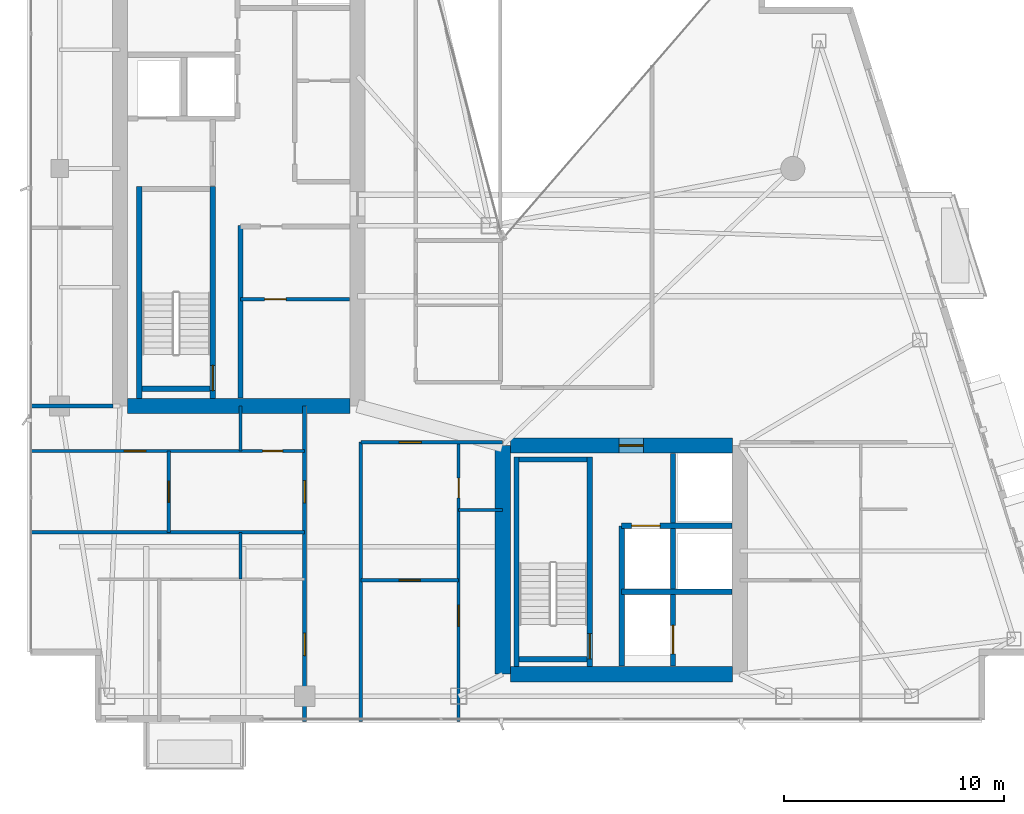
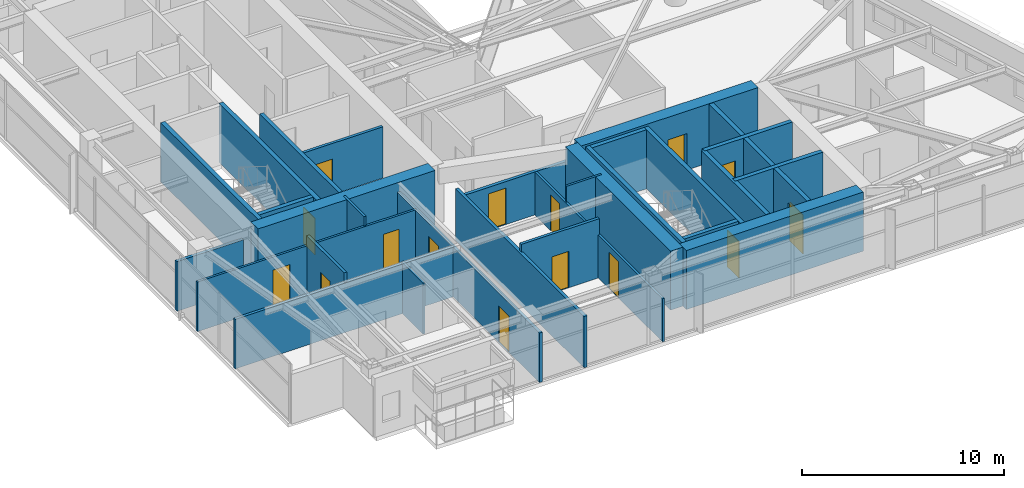
# One storey, part 24 of 29: 29 walls, 15 doors, 15 openings.
"""IFC4 building model written with IfcOpenShell, lengths in metres."""

from ifc_helpers import new_model, si_unit, direction, frame, frame_2d, origin, place, context, subcontext, project, spatial, rectangle, extrude, material, layer, layer_set, type_object, element, fill, save


model = new_model("IFC4")

# Units and contexts
model_context = context("Model", 3, precision=1e-05, world=origin(), true_north=direction((0.0, 1.0)))
body_context = subcontext(model_context, "Body", "Model", "MODEL_VIEW")
ifc_project = project(units=[si_unit("LENGTHUNIT", "METRE"), si_unit("AREAUNIT", "SQUARE_METRE"), si_unit("VOLUMEUNIT", "CUBIC_METRE"), si_unit("PLANEANGLEUNIT", "RADIAN"), si_unit("MASSUNIT", "GRAM", prefix="KILO")], contexts=[model_context])

# Site, building, storey
site_placement = place(None, origin())
site = spatial("IfcSite", under=ifc_project, at=site_placement, CompositionType="ELEMENT")
building_placement = place(site_placement, origin())
building = spatial("IfcBuilding", under=site, at=building_placement, Name="Calvorn Quay Hotel", CompositionType="ELEMENT")
storey_placement = place(building_placement, frame((0.0, 0.0, 255.199951171875)))
storey = spatial("IfcBuildingStorey", under=building, at=storey_placement, Name="L63", CompositionType="ELEMENT", Elevation=255.199951171875)

# Walls
ifc_material_1 = material(Name="Concrete C45", Category="concrete")
ifc_layer_1 = layer(ifc_material_1, 0.699951171875)
ifc_layer_set_1 = layer_set([ifc_layer_1], Name="WL-CORE-700")
wall_type_1 = type_object("IfcWallType", Name="WL-CORE-700", PredefinedType="SHEAR", material=ifc_layer_set_1)
wall_1_placement = place(storey_placement, frame((4.550048828125, 16.800048828125, 0.0), z_axis=(0.0, 0.0, 1.0), x_axis=(1.0, 0.0, 0.0)))
element("IfcWall", 1, at=wall_1_placement, inside=storey, type_object=wall_type_1, Name="West Core Shear Wall S (L63)", PredefinedType="SHEAR", context=body_context, shape_type="SweptSolid", body=[
    extrude(rectangle(XDim=10.099853515625, YDim=0.699951171875, at=frame_2d((5.0498046875, 0.0))), origin(), (0.0, 0.0, 1.0), 3.56005859375),
])
wall_2_placement = place(storey_placement, frame((21.60009765625, 4.60009765625, 0.0), z_axis=(0.0, 0.0, 1.0), x_axis=(0.0, 1.0, 0.0)))
element("IfcWall", 2, at=wall_2_placement, inside=storey, type_object=wall_type_1, Name="East Core Shear Wall W (L63)", PredefinedType="SHEAR", context=body_context, shape_type="SweptSolid", body=[
    extrude(rectangle(XDim=10.39990234375, YDim=0.699951171875, at=frame_2d((5.199951171875, 0.0))), origin(), (0.0, 0.0, 1.0), 3.56005859375),
])

# Wall, opening, door
wall_3_placement = place(storey_placement, frame((21.949951171875, 15.0, 0.0), z_axis=(0.0, 0.0, 1.0), x_axis=(1.0, 0.0, 0.0)))
wall_3 = element("IfcWall", 3, at=wall_3_placement, inside=storey, type_object=wall_type_1, Name="East Core Shear Wall N (L63)", PredefinedType="SHEAR", context=body_context, shape_type="SweptSolid", body=[
    extrude(rectangle(XDim=10.10009765625, YDim=0.699951171875, at=frame_2d((5.050048828125, 0.0))), origin(), (0.0, 0.0, 1.0), 3.56005859375),
])
opening_1_placement = place(wall_3_placement, frame((4.949951171875, 0.0, 0.0)))
opening_1 = element("IfcOpeningElement", 4, at=opening_1_placement, cuts=wall_3, Name="Opening D-L63-FLE", PredefinedType="OPENING", context=body_context, shape_type="SweptSolid", body=[
    extrude(rectangle(XDim=1.10009765625, YDim=2.199951171875, at=frame_2d((0.550048828125, 1.10009765625))), frame((0.0, 0.35986328125, 0.0), z_axis=(0.0, -1.0, 0.0), x_axis=(1.0, 0.0, 0.0)), (0.0, 0.0, 1.0), 0.719970703125),
])
ifc_material_2 = material(Name="Smoke-Sealed Steel Class A Fire Door", Category="steel")
door_type_1 = type_object("IfcDoorType", Name="DR-FFLOBBY-1100", OperationType="NOTDEFINED", PredefinedType="DOOR", material=ifc_material_2)
door_1_placement = place(opening_1_placement, origin())
door_1 = element("IfcDoor", 5, at=door_1_placement, inside=storey, type_object=door_type_1, Name="East Firefighting Lobby Fire Door (L63)", OperationType="SINGLE_SWING_LEFT", OverallHeight=2.199951171875, OverallWidth=1.10009765625, PredefinedType="DOOR", context=body_context, shape_type="SweptSolid", body=[
    extrude(rectangle(XDim=1.10009765625, YDim=2.199951171875, at=frame_2d((0.550048828125, 1.10009765625))), frame((0.0, 0.02490234375, 0.0), z_axis=(0.0, -1.0, 0.0), x_axis=(1.0, 0.0, 0.0)), (0.0, 0.0, 1.0), 0.050048828125),
])
fill(opening_1, door_1)

# Walls
wall_4_placement = place(storey_placement, frame((21.949951171875, 4.60009765625, 0.0), z_axis=(0.0, 0.0, 1.0), x_axis=(1.0, 0.0, 0.0)))
element("IfcWall", 6, at=wall_4_placement, inside=storey, type_object=wall_type_1, Name="East Core Shear Wall S (L63)", PredefinedType="SHEAR", context=body_context, shape_type="SweptSolid", body=[
    extrude(rectangle(XDim=10.10009765625, YDim=0.699951171875, at=frame_2d((5.050048828125, 0.0))), origin(), (0.0, 0.0, 1.0), 3.56005859375),
])
ifc_material_3 = material(Name="Acoustic Fireboard Steel-Stud Partition", Category="steel")
ifc_layer_2 = layer(ifc_material_3, 0.179931640625)
ifc_layer_set_2 = layer_set([ifc_layer_2], Name="WL-CORR-FIRE-180")
wall_type_2 = type_object("IfcWallType", Name="WL-CORR-FIRE-180", PredefinedType="PARTITIONING", material=ifc_layer_set_2)
wall_5_placement = place(storey_placement, frame((0.080078125, 16.800048828125, 0.0), z_axis=(0.0, 0.0, 1.0), x_axis=(1.0, 0.0, 0.0)))
element("IfcWall", 7, at=wall_5_placement, inside=storey, type_object=wall_type_2, Name="Partition Wall L63-WL-WBAY-S-WALL", PredefinedType="PARTITIONING", context=body_context, shape_type="SweptSolid", body=[
    extrude(rectangle(XDim=3.7998046875, YDim=0.179931640625, at=frame_2d((1.89990234375, 0.0))), origin(), (0.0, 0.0, 1.0), 2.989990234375),
])

# Wall, openings, doors
wall_6_placement = place(storey_placement, frame((12.60009765625, 2.43994140625, 0.0), z_axis=(0.0, 0.0, 1.0), x_axis=(0.0, 1.0, 0.0)))
wall_6 = element("IfcWall", 8, at=wall_6_placement, inside=storey, type_object=wall_type_2, Name="Partition Wall L63-WL-CORR-SW-LEG-W", PredefinedType="PARTITIONING", context=body_context, shape_type="SweptSolid", body=[
    extrude(rectangle(XDim=14.360107421875, YDim=0.179931640625, at=frame_2d((7.18017578125, 0.0))), origin(), (0.0, 0.0, 1.0), 2.989990234375),
])
opening_2_placement = place(wall_6_placement, frame((3.010009765625, 0.0, 0.0)))
opening_2 = element("IfcOpeningElement", 9, at=opening_2_placement, cuts=wall_6, Name="Opening D-L63-U01", PredefinedType="OPENING", context=body_context, shape_type="SweptSolid", body=[
    extrude(rectangle(XDim=1.02001953125, YDim=2.199951171875, at=frame_2d((0.510009765625, 1.10009765625))), frame((0.0, 0.099853515625, 0.0), z_axis=(0.0, -1.0, 0.0), x_axis=(1.0, 0.0, 0.0)), (0.0, 0.0, 1.0), 0.199951171875),
])
opening_3_placement = place(wall_6_placement, frame((9.949951171875, 0.0, 0.0)))
opening_3 = element("IfcOpeningElement", 10, at=opening_3_placement, cuts=wall_6, Name="Opening D-L63-U02", PredefinedType="OPENING", context=body_context, shape_type="SweptSolid", body=[
    extrude(rectangle(XDim=1.02001953125, YDim=2.199951171875, at=frame_2d((0.510009765625, 1.10009765625))), frame((0.0, 0.099853515625, 0.0), z_axis=(0.0, -1.0, 0.0), x_axis=(1.0, 0.0, 0.0)), (0.0, 0.0, 1.0), 0.199951171875),
])
ifc_material_4 = material(Name="Solid-Core Walnut Veneer Hotel Fire Door")
door_type_2 = type_object("IfcDoorType", Name="DR-GUEST-ENTRY-1020", OperationType="NOTDEFINED", PredefinedType="DOOR", material=ifc_material_4)
door_2_placement = place(opening_2_placement, origin())
door_2 = element("IfcDoor", 11, at=door_2_placement, inside=storey, type_object=door_type_2, Name="South-West Unit Door U01 (L63)", OperationType="SINGLE_SWING_LEFT", OverallHeight=2.199951171875, OverallWidth=1.02001953125, PredefinedType="DOOR", context=body_context, shape_type="SweptSolid", body=[
    extrude(rectangle(XDim=1.02001953125, YDim=2.199951171875, at=frame_2d((0.510009765625, 1.10009765625))), frame((0.0, 0.02490234375, 0.0), z_axis=(0.0, -1.0, 0.0), x_axis=(1.0, 0.0, 0.0)), (0.0, 0.0, 1.0), 0.050048828125),
])
fill(opening_2, door_2)
door_3_placement = place(opening_3_placement, origin())
door_3 = element("IfcDoor", 12, at=door_3_placement, inside=storey, type_object=door_type_2, Name="South-West Unit Door U02 (L63)", OperationType="SINGLE_SWING_RIGHT", OverallHeight=2.199951171875, OverallWidth=1.02001953125, PredefinedType="DOOR", context=body_context, shape_type="SweptSolid", body=[
    extrude(rectangle(XDim=1.02001953125, YDim=2.199951171875, at=frame_2d((0.510009765625, 1.10009765625))), frame((0.0, 0.02490234375, 0.0), z_axis=(0.0, -1.0, 0.0), x_axis=(1.0, 0.0, 0.0)), (0.0, 0.0, 1.0), 0.050048828125),
])
fill(opening_3, door_3)

# Wall
wall_7_placement = place(storey_placement, frame((15.14990234375, 2.43994140625, 0.0), z_axis=(0.0, 0.0, 1.0), x_axis=(0.0, 1.0, 0.0)))
element("IfcWall", 13, at=wall_7_placement, inside=storey, type_object=wall_type_2, Name="Partition Wall L63-WL-CORR-SW-W", PredefinedType="PARTITIONING", context=body_context, shape_type="SweptSolid", body=[
    extrude(rectangle(XDim=12.7099609375, YDim=0.179931640625, at=frame_2d((6.35498046875, 0.0))), origin(), (0.0, 0.0, 1.0), 3.090087890625),
])

# Wall, opening, door
wall_8_placement = place(storey_placement, frame((15.14990234375, 15.14990234375, 0.0), z_axis=(0.0, 0.0, 1.0), x_axis=(1.0, 0.0, 0.0)))
wall_8 = element("IfcWall", 14, at=wall_8_placement, inside=storey, type_object=wall_type_2, Name="Partition Wall L63-WL-SC-CORR-S", PredefinedType="PARTITIONING", context=body_context, shape_type="SweptSolid", body=[
    extrude(rectangle(XDim=6.4501953125, YDim=0.179931640625, at=frame_2d((3.22509765625, 0.0))), origin(), (0.0, 0.0, 1.0), 2.590087890625),
])
opening_4_placement = place(wall_8_placement, frame((1.739990234375, 0.0, 0.0)))
opening_4 = element("IfcOpeningElement", 15, at=opening_4_placement, cuts=wall_8, Name="Opening D-L63-U03", PredefinedType="OPENING", context=body_context, shape_type="SweptSolid", body=[
    extrude(rectangle(XDim=1.02001953125, YDim=2.199951171875, at=frame_2d((0.510009765625, 1.10009765625))), frame((0.0, 0.099853515625, 0.0), z_axis=(0.0, -1.0, 0.0), x_axis=(1.0, 0.0, 0.0)), (0.0, 0.0, 1.0), 0.199951171875),
])
door_4_placement = place(opening_4_placement, origin())
door_4 = element("IfcDoor", 16, at=door_4_placement, inside=storey, type_object=door_type_2, Name="Harbour Central Unit Door (L63)", OperationType="SINGLE_SWING_LEFT", OverallHeight=2.199951171875, OverallWidth=1.02001953125, PredefinedType="DOOR", context=body_context, shape_type="SweptSolid", body=[
    extrude(rectangle(XDim=1.02001953125, YDim=2.199951171875, at=frame_2d((0.510009765625, 1.10009765625))), frame((0.0, 0.02490234375, 0.0), z_axis=(0.0, -1.0, 0.0), x_axis=(1.0, 0.0, 0.0)), (0.0, 0.0, 1.0), 0.050048828125),
])
fill(opening_4, door_4)

# Walls
ifc_material_5 = material(Name="Moisture-Resistant Tile-Backed Partition")
ifc_layer_3 = layer(ifc_material_5, 0.125)
ifc_layer_set_3 = layer_set([ifc_layer_3], Name="WL-ENSUITE-125")
wall_type_3 = type_object("IfcWallType", Name="WL-ENSUITE-125", PredefinedType="PARTITIONING", material=ifc_layer_set_3)
wall_9_placement = place(storey_placement, frame((9.679931640625, 8.919921875, 0.0), z_axis=(0.0, 0.0, 1.0), x_axis=(0.0, 1.0, 0.0)))
element("IfcWall", 17, at=wall_9_placement, inside=storey, type_object=wall_type_3, Name="Partition Wall L63-WL-U01-BDV", PredefinedType="PARTITIONING", context=body_context, shape_type="SweptSolid", body=[
    extrude(rectangle(XDim=2.130126953125, YDim=0.125, at=frame_2d((1.06494140625, 0.0))), origin(), (0.0, 0.0, 1.0), 3.090087890625),
])
wall_10_placement = place(storey_placement, frame((9.679931640625, 14.75, 0.0), z_axis=(0.0, 0.0, 1.0), x_axis=(0.0, 1.0, 0.0)))
element("IfcWall", 18, at=wall_10_placement, inside=storey, type_object=wall_type_3, Name="Partition Wall L63-WL-U02-BDV", PredefinedType="PARTITIONING", context=body_context, shape_type="SweptSolid", body=[
    extrude(rectangle(XDim=2.050048828125, YDim=0.125, at=frame_2d((1.02490234375, 0.0))), origin(), (0.0, 0.0, 1.0), 3.56005859375),
])

# Wall, openings, doors
wall_11_placement = place(storey_placement, frame((0.080078125, 14.75, 0.0), z_axis=(0.0, 0.0, 1.0), x_axis=(1.0, 0.0, 0.0)))
wall_11 = element("IfcWall", 19, at=wall_11_placement, inside=storey, type_object=wall_type_3, Name="Partition Wall L63-WL-U02-BH", PredefinedType="PARTITIONING", context=body_context, shape_type="SweptSolid", body=[
    extrude(rectangle(XDim=12.52001953125, YDim=0.125, at=frame_2d((6.260009765625, 0.0))), origin(), (0.0, 0.0, 1.0), 2.989990234375),
])
opening_5_placement = place(wall_11_placement, frame((4.320068359375, 0.0, 0.0)))
opening_5 = element("IfcOpeningElement", 20, at=opening_5_placement, cuts=wall_11, Name="Opening D-L63-S02", PredefinedType="OPENING", context=body_context, shape_type="SweptSolid", body=[
    extrude(rectangle(XDim=0.9599609375, YDim=2.199951171875, at=frame_2d((0.47998046875, 1.10009765625))), frame((0.0, 0.072509765625, 0.0), z_axis=(0.0, -1.0, 0.0), x_axis=(1.0, 0.0, 0.0)), (0.0, 0.0, 1.0), 0.14501953125),
])
opening_6_placement = place(wall_11_placement, frame((10.610107421875, 0.0, 0.0)))
opening_6 = element("IfcOpeningElement", 21, at=opening_6_placement, cuts=wall_11, Name="Opening D-L63-E02", PredefinedType="OPENING", context=body_context, shape_type="SweptSolid", body=[
    extrude(rectangle(XDim=0.89990234375, YDim=2.14990234375, at=frame_2d((0.449951171875, 1.074951171875))), frame((0.0, 0.072509765625, 0.0), z_axis=(0.0, -1.0, 0.0), x_axis=(1.0, 0.0, 0.0)), (0.0, 0.0, 1.0), 0.14501953125),
])
ifc_material_6 = material(Name="Moisture-Sealed Timber En-Suite Door", Category="wood")
door_type_3 = type_object("IfcDoorType", Name="DR-ENSUITE-900", OperationType="NOTDEFINED", PredefinedType="DOOR", material=ifc_material_6)
door_5_placement = place(opening_6_placement, origin())
door_5 = element("IfcDoor", 22, at=door_5_placement, inside=storey, type_object=door_type_3, Name="En-Suite Door 02", OperationType="SINGLE_SWING_RIGHT", OverallHeight=2.14990234375, OverallWidth=0.89990234375, PredefinedType="DOOR", context=body_context, shape_type="SweptSolid", body=[
    extrude(rectangle(XDim=0.89990234375, YDim=2.14990234375, at=frame_2d((0.449951171875, 1.074951171875))), frame((0.0, 0.02490234375, 0.0), z_axis=(0.0, -1.0, 0.0), x_axis=(1.0, 0.0, 0.0)), (0.0, 0.0, 1.0), 0.050048828125),
])
fill(opening_6, door_5)
ifc_material_7 = material(Name="Solid Timber Internal Suite Door", Category="wood")
door_type_4 = type_object("IfcDoorType", Name="DR-SUITE-INT-960", OperationType="NOTDEFINED", PredefinedType="DOOR", material=ifc_material_7)
door_6_placement = place(opening_5_placement, origin())
door_6 = element("IfcDoor", 23, at=door_6_placement, inside=storey, type_object=door_type_4, Name="Children Play Nursery Door 02", OperationType="SINGLE_SWING_LEFT", OverallHeight=2.199951171875, OverallWidth=0.9599609375, PredefinedType="DOOR", context=body_context, shape_type="SweptSolid", body=[
    extrude(rectangle(XDim=0.9599609375, YDim=2.199951171875, at=frame_2d((0.47998046875, 1.10009765625))), frame((0.0, 0.02490234375, 0.0), z_axis=(0.0, -1.0, 0.0), x_axis=(1.0, 0.0, 0.0)), (0.0, 0.0, 1.0), 0.050048828125),
])
fill(opening_5, door_6)

# Wall
wall_12_placement = place(storey_placement, frame((19.60009765625, 12.070068359375, 0.0), z_axis=(0.0, 0.0, 1.0), x_axis=(1.0, 0.0, 0.0)))
element("IfcWall", 24, at=wall_12_placement, inside=storey, type_object=wall_type_3, Name="Partition Wall L63-WL-U03-BDV", PredefinedType="PARTITIONING", context=body_context, shape_type="SweptSolid", body=[
    extrude(rectangle(XDim=2.0, YDim=0.125, at=frame_2d((1.0, 0.0))), origin(), (0.0, 0.0, 1.0), 3.56005859375),
])

# Wall, openings, doors
wall_13_placement = place(storey_placement, frame((19.60009765625, 2.43994140625, 0.0), z_axis=(0.0, 0.0, 1.0), x_axis=(0.0, 1.0, 0.0)))
wall_13 = element("IfcWall", 25, at=wall_13_placement, inside=storey, type_object=wall_type_3, Name="Partition Wall L63-WL-U03-BV", PredefinedType="PARTITIONING", context=body_context, shape_type="SweptSolid", body=[
    extrude(rectangle(XDim=12.7099609375, YDim=0.125, at=frame_2d((6.35498046875, 0.0))), origin(), (0.0, 0.0, 1.0), 2.590087890625),
])
opening_7_placement = place(wall_13_placement, frame((4.340087890625, 0.0, 0.0)))
opening_7 = element("IfcOpeningElement", 26, at=opening_7_placement, cuts=wall_13, Name="Opening D-L63-S03", PredefinedType="OPENING", context=body_context, shape_type="SweptSolid", body=[
    extrude(rectangle(XDim=0.9599609375, YDim=2.199951171875, at=frame_2d((0.47998046875, 1.10009765625))), frame((0.0, 0.072509765625, 0.0), z_axis=(0.0, -1.0, 0.0), x_axis=(1.0, 0.0, 0.0)), (0.0, 0.0, 1.0), 0.14501953125),
])
opening_8_placement = place(wall_13_placement, frame((10.179931640625, 0.0, 0.0)))
opening_8 = element("IfcOpeningElement", 27, at=opening_8_placement, cuts=wall_13, Name="Opening D-L63-E03", PredefinedType="OPENING", context=body_context, shape_type="SweptSolid", body=[
    extrude(rectangle(XDim=0.89990234375, YDim=2.14990234375, at=frame_2d((0.449951171875, 1.074951171875))), frame((0.0, 0.072509765625, 0.0), z_axis=(0.0, -1.0, 0.0), x_axis=(1.0, 0.0, 0.0)), (0.0, 0.0, 1.0), 0.14501953125),
])
door_7_placement = place(opening_8_placement, origin())
door_7 = element("IfcDoor", 28, at=door_7_placement, inside=storey, type_object=door_type_3, Name="En-Suite Door 03", OperationType="SINGLE_SWING_RIGHT", OverallHeight=2.14990234375, OverallWidth=0.89990234375, PredefinedType="DOOR", context=body_context, shape_type="SweptSolid", body=[
    extrude(rectangle(XDim=0.89990234375, YDim=2.14990234375, at=frame_2d((0.449951171875, 1.074951171875))), frame((0.0, 0.02490234375, 0.0), z_axis=(0.0, -1.0, 0.0), x_axis=(1.0, 0.0, 0.0)), (0.0, 0.0, 1.0), 0.050048828125),
])
fill(opening_8, door_7)
door_8_placement = place(opening_7_placement, origin())
door_8 = element("IfcDoor", 29, at=door_8_placement, inside=storey, type_object=door_type_4, Name="Children Play Nursery Door 03", OperationType="SINGLE_SWING_LEFT", OverallHeight=2.199951171875, OverallWidth=0.9599609375, PredefinedType="DOOR", context=body_context, shape_type="SweptSolid", body=[
    extrude(rectangle(XDim=0.9599609375, YDim=2.199951171875, at=frame_2d((0.47998046875, 1.10009765625))), frame((0.0, 0.02490234375, 0.0), z_axis=(0.0, -1.0, 0.0), x_axis=(1.0, 0.0, 0.0)), (0.0, 0.0, 1.0), 0.050048828125),
])
fill(opening_7, door_8)

# Wall, opening, door
ifc_material_8 = material(Name="Double-Stud Acoustic Gypsum Partition")
ifc_layer_4 = layer(ifc_material_8, 0.159912109375)
ifc_layer_set_4 = layer_set([ifc_layer_4], Name="WL-INTERSUITE-160")
wall_type_4 = type_object("IfcWallType", Name="WL-INTERSUITE-160", PredefinedType="PARTITIONING", material=ifc_layer_set_4)
wall_14_placement = place(storey_placement, frame((9.679931640625, 21.64990234375, 0.0), z_axis=(0.0, 0.0, 1.0), x_axis=(1.0, 0.0, 0.0)))
wall_14 = element("IfcWall", 30, at=wall_14_placement, inside=storey, type_object=wall_type_4, Name="Partition Wall L63-WL-CWW-FR-SPLIT", PredefinedType="PARTITIONING", context=body_context, shape_type="SweptSolid", body=[
    extrude(rectangle(XDim=4.949951171875, YDim=0.159912109375, at=frame_2d((2.47509765625, 0.0))), origin(), (0.0, 0.0, 1.0), 3.090087890625),
])
opening_9_placement = place(wall_14_placement, frame((1.10009765625, 0.0, 0.0)))
opening_9 = element("IfcOpeningElement", 31, at=opening_9_placement, cuts=wall_14, Name="Opening D-L63-FRL1", PredefinedType="OPENING", context=body_context, shape_type="SweptSolid", body=[
    extrude(rectangle(XDim=0.97998046875, YDim=2.14990234375, at=frame_2d((0.489990234375, 1.074951171875))), frame((0.0, 0.08984375, 0.0), z_axis=(0.0, -1.0, 0.0), x_axis=(1.0, 0.0, 0.0)), (0.0, 0.0, 1.0), 0.179931640625),
])
ifc_material_9 = material(Name="Painted Steel Housekeeping/Riser Fire Door", Category="steel")
door_type_5 = type_object("IfcDoorType", Name="DR-SERVICE-980", OperationType="NOTDEFINED", PredefinedType="DOOR", material=ifc_material_9)
door_9_placement = place(opening_9_placement, origin())
door_9 = element("IfcDoor", 32, at=door_9_placement, inside=storey, type_object=door_type_5, Name="Linen Store Room Door (L63)", OperationType="SINGLE_SWING_LEFT", OverallHeight=2.14990234375, OverallWidth=0.97998046875, PredefinedType="DOOR", context=body_context, shape_type="SweptSolid", body=[
    extrude(rectangle(XDim=0.97998046875, YDim=2.14990234375, at=frame_2d((0.489990234375, 1.074951171875))), frame((0.0, 0.02490234375, 0.0), z_axis=(0.0, -1.0, 0.0), x_axis=(1.0, 0.0, 0.0)), (0.0, 0.0, 1.0), 0.050048828125),
])
fill(opening_9, door_9)

wall_15_placement = place(storey_placement, frame((6.419921875, 11.050048828125, 0.0), z_axis=(0.0, 0.0, 1.0), x_axis=(0.0, 1.0, 0.0)))
wall_15 = element("IfcWall", 33, at=wall_15_placement, inside=storey, type_object=wall_type_4, Name="Partition Wall L63-WL-U02-MSP", PredefinedType="PARTITIONING", context=body_context, shape_type="SweptSolid", body=[
    extrude(rectangle(XDim=3.699951171875, YDim=0.159912109375, at=frame_2d((1.85009765625, 0.0))), origin(), (0.0, 0.0, 1.0), 3.56005859375),
])
opening_10_placement = place(wall_15_placement, frame((1.3701171875, 0.0, 0.0)))
opening_10 = element("IfcOpeningElement", 34, at=opening_10_placement, cuts=wall_15, Name="Opening D-L63-M02", PredefinedType="OPENING", context=body_context, shape_type="SweptSolid", body=[
    extrude(rectangle(XDim=0.9599609375, YDim=2.199951171875, at=frame_2d((0.47998046875, 1.10009765625))), frame((0.0, 0.08984375, 0.0), z_axis=(0.0, -1.0, 0.0), x_axis=(1.0, 0.0, 0.0)), (0.0, 0.0, 1.0), 0.179931640625),
])
door_10_placement = place(opening_10_placement, origin())
door_10 = element("IfcDoor", 35, at=door_10_placement, inside=storey, type_object=door_type_4, Name="Suite Bedroom Door 02", OperationType="SINGLE_SWING_LEFT", OverallHeight=2.199951171875, OverallWidth=0.9599609375, PredefinedType="DOOR", context=body_context, shape_type="SweptSolid", body=[
    extrude(rectangle(XDim=0.9599609375, YDim=2.199951171875, at=frame_2d((0.47998046875, 1.10009765625))), frame((0.0, 0.02490234375, 0.0), z_axis=(0.0, -1.0, 0.0), x_axis=(1.0, 0.0, 0.0)), (0.0, 0.0, 1.0), 0.050048828125),
])
fill(opening_10, door_10)

# Wall
wall_16_placement = place(storey_placement, frame((0.080078125, 11.050048828125, 0.0), z_axis=(0.0, 0.0, 1.0), x_axis=(1.0, 0.0, 0.0)))
element("IfcWall", 36, at=wall_16_placement, inside=storey, type_object=wall_type_4, Name="Partition Wall L63-WL-SW-DIV-1", PredefinedType="PARTITIONING", context=body_context, shape_type="SweptSolid", body=[
    extrude(rectangle(XDim=12.52001953125, YDim=0.159912109375, at=frame_2d((6.260009765625, 0.0))), origin(), (0.0, 0.0, 1.0), 2.989990234375),
])

# Wall, opening, door
wall_17_placement = place(storey_placement, frame((15.14990234375, 8.8701171875, 0.0), z_axis=(0.0, 0.0, 1.0), x_axis=(1.0, 0.0, 0.0)))
wall_17 = element("IfcWall", 37, at=wall_17_placement, inside=storey, type_object=wall_type_4, Name="Partition Wall L63-WL-U03-MSP", PredefinedType="PARTITIONING", context=body_context, shape_type="SweptSolid", body=[
    extrude(rectangle(XDim=4.4501953125, YDim=0.159912109375, at=frame_2d((2.22509765625, 0.0))), origin(), (0.0, 0.0, 1.0), 3.56005859375),
])
opening_11_placement = place(wall_17_placement, frame((1.75, 0.0, 0.0)))
opening_11 = element("IfcOpeningElement", 38, at=opening_11_placement, cuts=wall_17, Name="Opening D-L63-M03", PredefinedType="OPENING", context=body_context, shape_type="SweptSolid", body=[
    extrude(rectangle(XDim=0.9599609375, YDim=2.199951171875, at=frame_2d((0.47998046875, 1.10009765625))), frame((0.0, 0.08984375, 0.0), z_axis=(0.0, -1.0, 0.0), x_axis=(1.0, 0.0, 0.0)), (0.0, 0.0, 1.0), 0.179931640625),
])
door_11_placement = place(opening_11_placement, origin())
door_11 = element("IfcDoor", 39, at=door_11_placement, inside=storey, type_object=door_type_4, Name="Suite Bedroom Door 03", OperationType="SINGLE_SWING_LEFT", OverallHeight=2.199951171875, OverallWidth=0.9599609375, PredefinedType="DOOR", context=body_context, shape_type="SweptSolid", body=[
    extrude(rectangle(XDim=0.9599609375, YDim=2.199951171875, at=frame_2d((0.47998046875, 1.10009765625))), frame((0.0, 0.02490234375, 0.0), z_axis=(0.0, -1.0, 0.0), x_axis=(1.0, 0.0, 0.0)), (0.0, 0.0, 1.0), 0.050048828125),
])
fill(opening_11, door_11)

# Walls
ifc_material_10 = material(Name="Autoclaved Aerated Masonry Block", Category="masonry")
ifc_layer_5 = layer(ifc_material_10, 0.219970703125)
ifc_layer_set_5 = layer_set([ifc_layer_5], Name="WL-LOBBY-FIRE-220")
wall_type_5 = type_object("IfcWallType", Name="WL-LOBBY-FIRE-220", PredefinedType="SOLIDWALL", material=ifc_layer_set_5)
wall_18_placement = place(storey_placement, frame((9.679931640625, 17.169921875, 0.0), z_axis=(0.0, 0.0, 1.0), x_axis=(0.0, 1.0, 0.0)))
element("IfcWall", 40, at=wall_18_placement, inside=storey, type_object=wall_type_5, Name="Partition Wall L63-WL-CWW-STW-HALL-E", PredefinedType="SOLIDWALL", context=body_context, shape_type="SweptSolid", body=[
    extrude(rectangle(XDim=7.830078125, YDim=0.219970703125, at=frame_2d((3.9150390625, 0.0))), origin(), (0.0, 0.0, 1.0), 3.56005859375),
])
ifc_material_11 = material(Name="Concrete C40", Category="concrete")
ifc_layer_6 = layer(ifc_material_11, 0.239990234375)
ifc_layer_set_6 = layer_set([ifc_layer_6], Name="WL-SHAFT-240")
wall_type_6 = type_object("IfcWallType", Name="WL-SHAFT-240", PredefinedType="SOLIDWALL", material=ifc_layer_set_6)
wall_19_placement = place(storey_placement, frame((5.080078125, 17.14990234375, 0.0), z_axis=(0.0, 0.0, 1.0), x_axis=(0.0, 1.0, 0.0)))
element("IfcWall", 41, at=wall_19_placement, inside=storey, type_object=wall_type_6, Name="Stair STW Shaft Wall W (L63)", PredefinedType="SOLIDWALL", context=body_context, shape_type="SweptSolid", body=[
    extrude(rectangle(XDim=9.64013671875, YDim=0.239990234375, at=frame_2d((4.820068359375, 0.0))), origin(), (0.0, 0.0, 1.0), 3.56005859375),
])

# Wall, opening, door
wall_20_placement = place(storey_placement, frame((8.419921875, 17.14990234375, 0.0), z_axis=(0.0, 0.0, 1.0), x_axis=(0.0, 1.0, 0.0)))
wall_20 = element("IfcWall", 42, at=wall_20_placement, inside=storey, type_object=wall_type_6, Name="Stair STW Shaft Wall E (L63)", PredefinedType="SOLIDWALL", context=body_context, shape_type="SweptSolid", body=[
    extrude(rectangle(XDim=9.64013671875, YDim=0.239990234375, at=frame_2d((4.820068359375, 0.0))), origin(), (0.0, 0.0, 1.0), 3.56005859375),
])
opening_12_placement = place(wall_20_placement, frame((0.35009765625, 0.0, 0.0)))
opening_12 = element("IfcOpeningElement", 43, at=opening_12_placement, cuts=wall_20, Name="Opening D-L63-STW", PredefinedType="OPENING", context=body_context, shape_type="SweptSolid", body=[
    extrude(rectangle(XDim=1.14990234375, YDim=2.199951171875, at=frame_2d((0.574951171875, 1.10009765625))), frame((0.0, 0.1298828125, 0.0), z_axis=(0.0, -1.0, 0.0), x_axis=(1.0, 0.0, 0.0)), (0.0, 0.0, 1.0), 0.260009765625),
])
ifc_material_12 = material(Name="Galvanised Steel Class A Fire Door", Category="steel")
door_type_6 = type_object("IfcDoorType", Name="DR-STAIR-SMOKE-1150", OperationType="NOTDEFINED", PredefinedType="DOOR", material=ifc_material_12)
door_12_placement = place(opening_12_placement, origin())
door_12 = element("IfcDoor", 44, at=door_12_placement, inside=storey, type_object=door_type_6, Name="Stair ST-W Fire Door (L63)", OperationType="SINGLE_SWING_LEFT", OverallHeight=2.199951171875, OverallWidth=1.14990234375, PredefinedType="DOOR", context=body_context, shape_type="SweptSolid", body=[
    extrude(rectangle(XDim=1.14990234375, YDim=2.199951171875, at=frame_2d((0.574951171875, 1.10009765625))), frame((0.0, 0.02490234375, 0.0), z_axis=(0.0, -1.0, 0.0), x_axis=(1.0, 0.0, 0.0)), (0.0, 0.0, 1.0), 0.050048828125),
])
fill(opening_12, door_12)

# Walls
wall_21_placement = place(storey_placement, frame((5.199951171875, 17.580078125, 0.0), z_axis=(0.0, 0.0, 1.0), x_axis=(1.0, 0.0, 0.0)))
element("IfcWall", 45, at=wall_21_placement, inside=storey, type_object=wall_type_6, Name="Stair STW Shaft Wall S (L63)", PredefinedType="SOLIDWALL", context=body_context, shape_type="SweptSolid", body=[
    extrude(rectangle(XDim=3.10009765625, YDim=0.239990234375, at=frame_2d((1.550048828125, 0.0))), origin(), (0.0, 0.0, 1.0), 3.56005859375),
])
wall_22_placement = place(storey_placement, frame((22.22998046875, 4.949951171875, 0.0), z_axis=(0.0, 0.0, 1.0), x_axis=(0.0, 1.0, 0.0)))
element("IfcWall", 46, at=wall_22_placement, inside=storey, type_object=wall_type_6, Name="Stair STE Shaft Wall W (L63)", PredefinedType="SOLIDWALL", context=body_context, shape_type="SweptSolid", body=[
    extrude(rectangle(XDim=9.5400390625, YDim=0.239990234375, at=frame_2d((4.77001953125, 0.0))), origin(), (0.0, 0.0, 1.0), 3.56005859375),
])

# Wall, opening, door
wall_23_placement = place(storey_placement, frame((25.570068359375, 4.949951171875, 0.0), z_axis=(0.0, 0.0, 1.0), x_axis=(0.0, 1.0, 0.0)))
wall_23 = element("IfcWall", 47, at=wall_23_placement, inside=storey, type_object=wall_type_6, Name="Stair STE Shaft Wall E (L63)", PredefinedType="SOLIDWALL", context=body_context, shape_type="SweptSolid", body=[
    extrude(rectangle(XDim=9.5400390625, YDim=0.239990234375, at=frame_2d((4.77001953125, 0.0))), origin(), (0.0, 0.0, 1.0), 3.56005859375),
])
opening_13_placement = place(wall_23_placement, frame((0.35009765625, 0.0, 0.0)))
opening_13 = element("IfcOpeningElement", 48, at=opening_13_placement, cuts=wall_23, Name="Opening D-L63-STE", PredefinedType="OPENING", context=body_context, shape_type="SweptSolid", body=[
    extrude(rectangle(XDim=1.14990234375, YDim=2.199951171875, at=frame_2d((0.574951171875, 1.10009765625))), frame((0.0, 0.1298828125, 0.0), z_axis=(0.0, -1.0, 0.0), x_axis=(1.0, 0.0, 0.0)), (0.0, 0.0, 1.0), 0.260009765625),
])
door_13_placement = place(opening_13_placement, origin())
door_13 = element("IfcDoor", 49, at=door_13_placement, inside=storey, type_object=door_type_6, Name="Stair ST-E Fire Door (L63)", OperationType="SINGLE_SWING_RIGHT", OverallHeight=2.199951171875, OverallWidth=1.14990234375, PredefinedType="DOOR", context=body_context, shape_type="SweptSolid", body=[
    extrude(rectangle(XDim=1.14990234375, YDim=2.199951171875, at=frame_2d((0.574951171875, 1.10009765625))), frame((0.0, 0.02490234375, 0.0), z_axis=(0.0, -1.0, 0.0), x_axis=(1.0, 0.0, 0.0)), (0.0, 0.0, 1.0), 0.050048828125),
])
fill(opening_13, door_13)

# Walls
for number, where, z_axis, x_axis, name in (
    (50, (22.35009765625, 5.280029296875, 0.0), (0.0, 0.0, 1.0), (1.0, 0.0, 0.0), "Stair STE Shaft Wall S (L63)"),
    (51, (22.35009765625, 14.3701171875, 0.0), (0.0, 0.0, 1.0), (1.0, 0.0, 0.0), "Stair STE Shaft Wall N (L63)"),
):
    element("IfcWall", number, at=place(storey_placement, frame(where, z_axis=z_axis, x_axis=x_axis)), inside=storey, type_object=wall_type_6, Name=name, PredefinedType="SOLIDWALL", context=body_context, shape_type="SweptSolid", body=[
        extrude(rectangle(XDim=3.099853515625, YDim=0.239990234375, at=frame_2d((1.5498046875, 0.0))), origin(), (0.0, 0.0, 1.0), 3.56005859375),
    ])
wall_24_placement = place(storey_placement, frame((27.02001953125, 4.969970703125, 0.0), z_axis=(0.0, 0.0, 1.0), x_axis=(0.0, 1.0, 0.0)))
element("IfcWall", 52, at=wall_24_placement, inside=storey, type_object=wall_type_6, Name="Partition Wall L63-WL-CWE-SH-W", PredefinedType="SOLIDWALL", context=body_context, shape_type="SweptSolid", body=[
    extrude(rectangle(XDim=6.380126953125, YDim=0.239990234375, at=frame_2d((3.18994140625, 0.0))), origin(), (0.0, 0.0, 1.0), 3.56005859375),
])

# Wall, opening, door
wall_25_placement = place(storey_placement, frame((27.02001953125, 11.35009765625, 0.0), z_axis=(0.0, 0.0, 1.0), x_axis=(1.0, 0.0, 0.0)))
wall_25 = element("IfcWall", 53, at=wall_25_placement, inside=storey, type_object=wall_type_6, Name="Partition Wall L63-WL-CWE-FFL-S", PredefinedType="SOLIDWALL", context=body_context, shape_type="SweptSolid", body=[
    extrude(rectangle(XDim=5.010009765625, YDim=0.239990234375, at=frame_2d((2.5048828125, 0.0))), origin(), (0.0, 0.0, 1.0), 3.56005859375),
])
opening_14_placement = place(wall_25_placement, frame((0.449951171875, 0.0, 0.0)))
opening_14 = element("IfcOpeningElement", 54, at=opening_14_placement, cuts=wall_25, Name="Opening LD-L63-FLE1", PredefinedType="OPENING", context=body_context, shape_type="SweptSolid", body=[
    extrude(rectangle(XDim=1.300048828125, YDim=2.35009765625, at=frame_2d((0.64990234375, 1.175048828125))), frame((0.0, 0.1298828125, 0.0), z_axis=(0.0, -1.0, 0.0), x_axis=(1.0, 0.0, 0.0)), (0.0, 0.0, 1.0), 0.260009765625),
])
ifc_material_13 = material(Name="Champagne-Bronze Sliding Express Lift Landing Door")
door_type_7 = type_object("IfcDoorType", Name="DR-LIFT-SHUTTLE-1300", OperationType="NOTDEFINED", PredefinedType="DOOR", material=ifc_material_13)
door_14_placement = place(opening_14_placement, origin())
door_14 = element("IfcDoor", 55, at=door_14_placement, inside=storey, type_object=door_type_7, Name="Firefighting Lift FL-E1 Landing Door (L63)", OperationType="DOUBLE_DOOR_SLIDING", OverallHeight=2.35009765625, OverallWidth=1.300048828125, PredefinedType="DOOR", context=body_context, shape_type="SweptSolid", body=[
    extrude(rectangle(XDim=1.300048828125, YDim=2.35009765625, at=frame_2d((0.64990234375, 1.175048828125))), frame((0.0, 0.02490234375, 0.0), z_axis=(0.0, -1.0, 0.0), x_axis=(1.0, 0.0, 0.0)), (0.0, 0.0, 1.0), 0.050048828125),
])
fill(opening_14, door_14)

# Wall
wall_26_placement = place(storey_placement, frame((27.02001953125, 8.35009765625, 0.0), z_axis=(0.0, 0.0, 1.0), x_axis=(1.0, 0.0, 0.0)))
element("IfcWall", 56, at=wall_26_placement, inside=storey, type_object=wall_type_6, Name="Partition Wall L63-WL-CWE-SL-N", PredefinedType="SOLIDWALL", context=body_context, shape_type="SweptSolid", body=[
    extrude(rectangle(XDim=5.010009765625, YDim=0.239990234375, at=frame_2d((2.5048828125, 0.0))), origin(), (0.0, 0.0, 1.0), 3.56005859375),
])

# Wall, opening, door
wall_27_placement = place(storey_placement, frame((29.35009765625, 4.969970703125, 0.0), z_axis=(0.0, 0.0, 1.0), x_axis=(0.0, 1.0, 0.0)))
wall_27 = element("IfcWall", 57, at=wall_27_placement, inside=storey, type_object=wall_type_6, Name="Partition Wall L63-WL-CWE-OB-W", PredefinedType="SOLIDWALL", context=body_context, shape_type="SweptSolid", body=[
    extrude(rectangle(XDim=9.659912109375, YDim=0.239990234375, at=frame_2d((4.830078125, 0.0))), origin(), (0.0, 0.0, 1.0), 3.56005859375),
])
opening_15_placement = place(wall_27_placement, frame((0.550048828125, 0.0, 0.0)))
opening_15 = element("IfcOpeningElement", 58, at=opening_15_placement, cuts=wall_27, Name="Opening LD-L63-SLEI", PredefinedType="OPENING", context=body_context, shape_type="SweptSolid", body=[
    extrude(rectangle(XDim=1.300048828125, YDim=2.35009765625, at=frame_2d((0.64990234375, 1.175048828125))), frame((0.0, 0.1298828125, 0.0), z_axis=(0.0, -1.0, 0.0), x_axis=(1.0, 0.0, 0.0)), (0.0, 0.0, 1.0), 0.260009765625),
])
door_15_placement = place(opening_15_placement, origin())
door_15 = element("IfcDoor", 59, at=door_15_placement, inside=storey, type_object=door_type_7, Name="Service Lift SL-E1 Landing Door (L63)", OperationType="DOUBLE_DOOR_SLIDING", OverallHeight=2.35009765625, OverallWidth=1.300048828125, PredefinedType="DOOR", context=body_context, shape_type="SweptSolid", body=[
    extrude(rectangle(XDim=1.300048828125, YDim=2.35009765625, at=frame_2d((0.64990234375, 1.175048828125))), frame((0.0, 0.02490234375, 0.0), z_axis=(0.0, -1.0, 0.0), x_axis=(1.0, 0.0, 0.0)), (0.0, 0.0, 1.0), 0.050048828125),
])
fill(opening_15, door_15)

save(model, "model.ifc")
